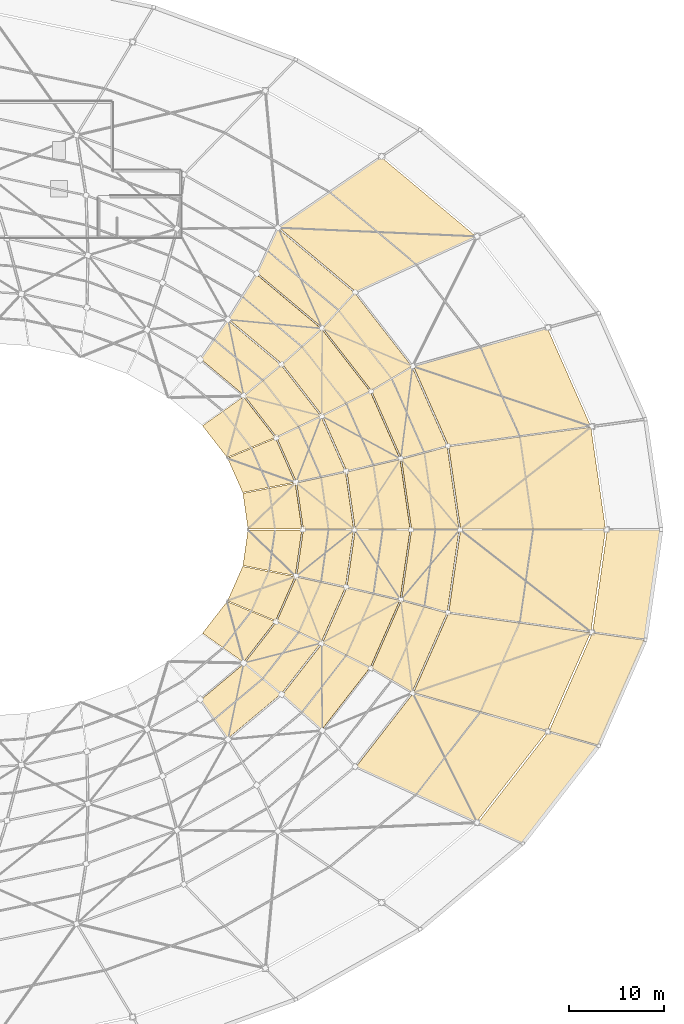
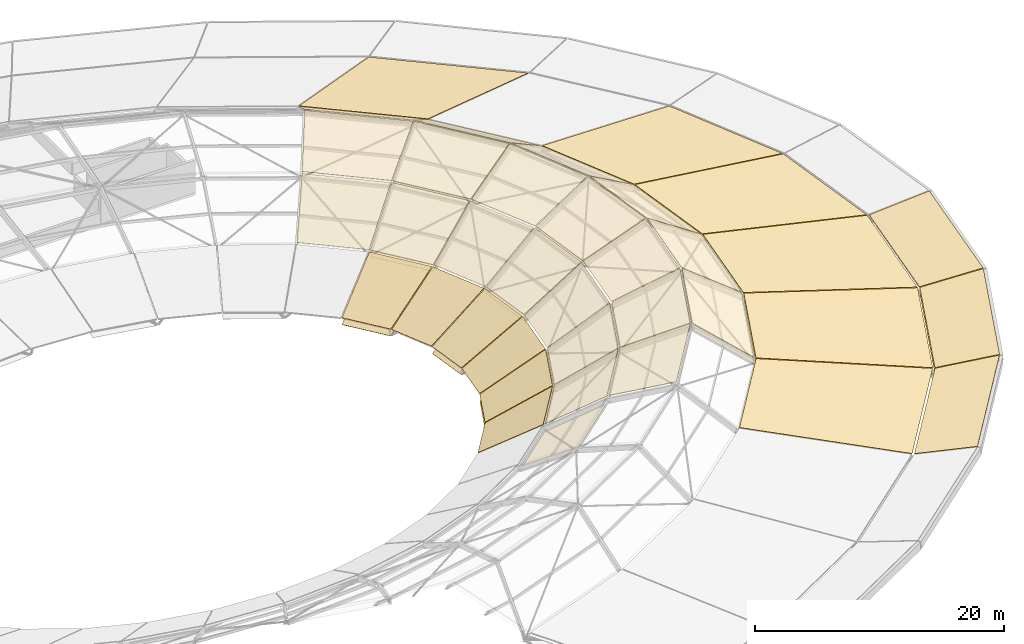
# One storey, part 29 of 30: 51 coverings.
"""IFC4 building model written with IfcOpenShell, lengths in metres."""

from ifc_helpers import new_model, si_unit, direction, frame, origin, place, context, subcontext, project, spatial, polyline, outline, extrude, material, layer, layer_set, type_object, element, save


model = new_model("IFC4")

# Units and contexts
model_context = context("Model", 3, precision=1e-05, world=origin(), true_north=direction((0.0, 1.0)))
body_context = subcontext(model_context, "Body", "Model", "MODEL_VIEW")
ifc_project = project(units=[si_unit("LENGTHUNIT", "METRE"), si_unit("AREAUNIT", "SQUARE_METRE"), si_unit("VOLUMEUNIT", "CUBIC_METRE"), si_unit("PLANEANGLEUNIT", "RADIAN"), si_unit("MASSUNIT", "GRAM", prefix="KILO")], contexts=[model_context])

# Site, building, storey
site_placement = place(None, origin())
site = spatial("IfcSite", under=ifc_project, at=site_placement, CompositionType="ELEMENT")
building_placement = place(site_placement, origin())
building = spatial("IfcBuilding", under=site, at=building_placement, Name="Namkhue Oval Health Centre", CompositionType="ELEMENT")
storey_placement = place(building_placement, frame((0.0, 0.0, 26.39990234375)))
storey = spatial("IfcBuildingStorey", under=building, at=storey_placement, Name="RF", CompositionType="ELEMENT", Elevation=26.39990234375)

# Coverings
ifc_material_1 = material(Name="Slatted FSC timber acoustic soffit lining", Category="wood")
ifc_layer_1 = layer(ifc_material_1, 0.0400390625)
ifc_layer_set_1 = layer_set([ifc_layer_1], Name="Slatted FSC timber acoustic soffit lining")
covering_type_1 = type_object("IfcCoveringType", Name="SLATTED TIMBER SOFFIT CEILING 40", PredefinedType="CEILING", material=ifc_layer_set_1)
covering_1_placement = place(storey_placement, frame((166.153076171875, 36.732177734375, 0.49365234375), z_axis=(-0.066609634685, 0.029390942397, 0.997346143058), x_axis=(0.403689962773, 0.914895848693, -1.0269e-08)))
element("IfcCovering", 1, at=covering_1_placement, inside=storey, type_object=covering_type_1, Name="Gridshell Canopy Slatted Timber Soffit K0-31", PredefinedType="CEILING", context=body_context, shape_type="SweptSolid", body=[
    extrude(outline(polyline([(0.0, 0.0), (12.080332538266319, 8.881784197001252e-16), (10.557918614069292, 5.315006195933241), (-0.736806834305581, 5.315009492955884), (0.0, 0.0)])), origin(), (0.0, 0.0, -1.0), 0.0400390625),
])
covering_2_placement = place(storey_placement, frame((166.9453125, 59.44189453125, 0.1201171875), z_axis=(0.221413405194, 0.031717668843, 0.974664092641), x_axis=(-0.141797236906, 0.989895723601, -1.41144e-06)))
element("IfcCovering", 2, at=covering_2_placement, inside=storey, type_object=covering_type_1, Name="Gridshell Canopy Slatted Timber Soffit K1-1", PredefinedType="CEILING", context=body_context, shape_type="SweptSolid", body=[
    extrude(outline(polyline([(0.0, 0.0), (10.829886655075331, -2.220446049250313e-16), (10.925997497913546, 15.468859173008608), (2.1596681204710646, 15.46873551570559), (0.0, 0.0)])), origin(), (0.0, 0.0, -1.0), 0.0400390625),
])
covering_3_placement = place(storey_placement, frame((160.833740234375, 38.2470703125, 0.12109375), z_axis=(0.21244319399, -0.093735895629, 0.97266719447), x_axis=(0.403676652007, 0.914901721839, 7.96796e-07)))
element("IfcCovering", 3, at=covering_3_placement, inside=storey, type_object=covering_type_1, Name="Gridshell Canopy Slatted Timber Soffit K1-31", PredefinedType="CEILING", context=body_context, shape_type="SweptSolid", body=[
    extrude(outline(polyline([(0.0, 0.0), (11.268499338380739, 0.0), (7.109268119426444, 14.892110218700335), (-2.0132633458221476, 14.89218018955802), (0.0, 0.0)])), origin(), (0.0, 0.0, -1.0), 0.0400390625),
])
covering_4_placement = place(storey_placement, frame((151.550537109375, 59.44189453125, 3.650146484375), z_axis=(0.550264002747, 0.078840664151, 0.831260294346), x_axis=(-0.141828690048, 0.989891217599, -5.51382e-07)))
element("IfcCovering", 4, at=covering_4_placement, inside=storey, type_object=covering_type_1, Name="Gridshell Canopy Slatted Timber Soffit K2-1", PredefinedType="CEILING", context=body_context, shape_type="SweptSolid", body=[
    extrude(outline(polyline([(0.0, 0.0), (8.734288660484037, 0.0), (8.134620470626112, 5.936153769276453), (0.7069948097964079, 5.936137738234251), (0.0, 0.0)])), origin(), (0.0, 0.0, -1.0), 0.0400390625),
])
covering_5_placement = place(storey_placement, frame((146.575927734375, 76.556884765625, 3.650390625), z_axis=(0.44017774573, 0.342231742031, 0.830133113971), x_axis=(-0.61379516674, 0.789465321141, -1.348328e-06)))
element("IfcCovering", 5, at=covering_5_placement, inside=storey, type_object=covering_type_1, Name="Gridshell Canopy Slatted Timber Soffit K2-3", PredefinedType="CEILING", context=body_context, shape_type="SweptSolid", body=[
    extrude(outline(polyline([(0.0, 0.0), (9.714402707593727, 0.0), (8.868532502953732, 5.91782303076807), (0.6060077351450597, 5.917779558203155), (0.0, 0.0)])), origin(), (0.0, 0.0, -1.0), 0.0400390625),
])
covering_6_placement = place(storey_placement, frame((146.618896484375, 42.31494140625, 3.650390625), z_axis=(0.510093396509, -0.225078094197, 0.830147323281), x_axis=(0.403686585458, 0.914897338873, 6.610776e-06)))
element("IfcCovering", 6, at=covering_6_placement, inside=storey, type_object=covering_type_1, Name="Gridshell Canopy Slatted Timber Soffit K2-31", PredefinedType="CEILING", context=body_context, shape_type="SweptSolid", body=[
    extrude(outline(polyline([(0.0, 0.0), (9.090504348652132, 4.440892098500626e-16), (8.33636209725817, 5.917927293663363), (0.6053513274839452, 5.918126745628507), (0.0, 0.0)])), origin(), (0.0, 0.0, -1.0), 0.0400390625),
])
covering_7_placement = place(storey_placement, frame((146.40478515625, 59.44189453125, 6.968505859375), z_axis=(-0.347102420583, -0.04972134762, 0.936508247276), x_axis=(-0.141792423715, 0.98989641305, 2.658993e-06)))
element("IfcCovering", 7, at=covering_7_placement, inside=storey, type_object=covering_type_1, Name="Gridshell Canopy Slatted Timber Soffit K3-1", PredefinedType="CEILING", context=body_context, shape_type="SweptSolid", body=[
    extrude(outline(polyline([(0.0, 0.0), (7.388368685525024, -1.1102230246251565e-16), (6.898255251126288, 6.094419917740232), (0.8175162608143147, 6.09431777965323), (0.0, 0.0)])), origin(), (0.0, 0.0, -1.0), 0.0400390625),
])
covering_8_placement = place(storey_placement, frame((142.184326171875, 73.943359375, 6.9677734375), z_axis=(-0.284555767481, -0.221233065633, 0.93278290393), x_axis=(-0.613800928862, 0.789460841138, -6.166827e-06)))
element("IfcCovering", 8, at=covering_8_placement, inside=storey, type_object=covering_type_1, Name="Gridshell Canopy Slatted Timber Soffit K3-3", PredefinedType="CEILING", context=body_context, shape_type="SweptSolid", body=[
    extrude(outline(polyline([(0.0, 0.0), (8.21832925912734, 0.0), (7.849197281729793, 5.923907507707206), (1.082703076209955, 5.924163886428232), (0.0, 0.0)])), origin(), (0.0, 0.0, -1.0), 0.0400390625),
])
covering_9_placement = place(storey_placement, frame((142.228515625, 44.92822265625, 6.96826171875), z_axis=(-0.324783099907, 0.143299207045, 0.934869656837), x_axis=(0.403671259167, 0.914904101271, 6.10418e-07)))
element("IfcCovering", 9, at=covering_9_placement, inside=storey, type_object=covering_type_1, Name="Gridshell Canopy Slatted Timber Soffit K3-31", PredefinedType="CEILING", context=body_context, shape_type="SweptSolid", body=[
    extrude(outline(polyline([(0.0, 0.0), (7.690035754572932, -8.881784197001252e-16), (6.622141581267067, 6.017711827395505), (0.2922432451618904, 6.017687719704856), (0.0, 0.0)])), origin(), (0.0, 0.0, -1.0), 0.0400390625),
])
covering_10_placement = place(storey_placement, frame((140.47705078125, 59.44189453125, 4.751953125), z_axis=(-0.528457437202, -0.075708120507, 0.845577327957), x_axis=(-0.141804277002, 0.989894715099, 6.55596e-06)))
element("IfcCovering", 10, at=covering_10_placement, inside=storey, type_object=covering_type_1, Name="Gridshell Canopy Slatted Timber Soffit K4-1", PredefinedType="CEILING", context=body_context, shape_type="SweptSolid", body=[
    extrude(outline(polyline([(0.0, 0.0), (6.044969307527069, -1.1102230246251565e-16), (5.657096319622979, 6.1884980989666785), (0.7495745826178772, 6.188363597336773), (0.0, 0.0)])), origin(), (0.0, 0.0, -1.0), 0.0400390625),
])
covering_11_placement = place(storey_placement, frame((137.011474609375, 71.334716796875, 4.750732421875), z_axis=(-0.433759305837, -0.337238725501, 0.835537495641), x_axis=(-0.613799733614, 0.789461770442, -5.104594e-06)))
element("IfcCovering", 11, at=covering_11_placement, inside=storey, type_object=covering_type_1, Name="Gridshell Canopy Slatted Timber Soffit K4-3", PredefinedType="CEILING", context=body_context, shape_type="SweptSolid", body=[
    extrude(outline(polyline([(0.0, 0.0), (6.725574775207637, 4.440892098500626e-16), (6.570204152330779, 6.008436721034068), (1.1077128303562849, 6.008549956098605), (0.0, 0.0)])), origin(), (0.0, 0.0, -1.0), 0.0400390625),
])
covering_12_placement = place(storey_placement, frame((127.263916015625, 37.437744140625, 4.75), z_axis=(-0.356768730439, 0.425883644413, 0.831468095842), x_axis=(0.76656647101, 0.64216496753, -7.33674e-07)))
element("IfcCovering", 12, at=covering_12_placement, inside=storey, type_object=covering_type_1, Name="Gridshell Canopy Slatted Timber Soffit K4-29", PredefinedType="CEILING", context=body_context, shape_type="SweptSolid", body=[
    extrude(outline(polyline([(0.0, 0.0), (7.2535197247940895, 0.0), (6.3463748328235985, 5.9394588755613675), (0.4531265073229309, 5.939476236834211), (0.0, 0.0)])), origin(), (0.0, 0.0, -1.0), 0.0400390625),
])
covering_13_placement = place(storey_placement, frame((137.0556640625, 47.536865234375, 4.75146484375), z_axis=(-0.494468509702, 0.218174421778, 0.841368417874), x_axis=(0.403676561554, 0.914901761743, -3.34581e-06)))
element("IfcCovering", 13, at=covering_13_placement, inside=storey, type_object=covering_type_1, Name="Gridshell Canopy Slatted Timber Soffit K4-31", PredefinedType="CEILING", context=body_context, shape_type="SweptSolid", body=[
    extrude(outline(polyline([(0.0, 0.0), (6.292293576247956, -2.220446049250313e-16), (5.254185255413922, 6.110913862467994), (0.14506203218569685, 6.110984444627364), (0.0, 0.0)])), origin(), (0.0, 0.0, -1.0), 0.0400390625),
])
covering_14_placement = place(storey_placement, frame((135.03466796875, 59.44189453125, 1.3564453125), z_axis=(-0.481428468157, -0.0689848428, 0.873766399853), x_axis=(-0.141852948504, 0.9898877416, -5.490549e-06)))
element("IfcCovering", 14, at=covering_14_placement, inside=storey, type_object=covering_type_1, Name="Gridshell Canopy Slatted Timber Soffit K5-1", PredefinedType="CEILING", context=body_context, shape_type="SweptSolid", body=[
    extrude(outline(polyline([(0.0, 0.0), (4.87572269697473, 1.1102230246251565e-16), (4.595335059077172, 6.399815369236707), (0.8013684996190448, 6.399913244768177), (0.0, 0.0)])), origin(), (0.0, 0.0, -1.0), 0.0400390625),
])
covering_15_placement = place(storey_placement, frame((132.22412109375, 69.06396484375, 1.354248046875), z_axis=(-0.401515771592, -0.312149950345, 0.861015385265), x_axis=(-0.61376918477, 0.789485520973, -1.64495e-07)))
element("IfcCovering", 15, at=covering_15_placement, inside=storey, type_object=covering_type_1, Name="Gridshell Canopy Slatted Timber Soffit K5-3", PredefinedType="CEILING", context=body_context, shape_type="SweptSolid", body=[
    extrude(outline(polyline([(0.0, 0.0), (5.425618932065975, 0.0), (5.6593509153690436, 6.11192767457574), (1.4342051747227105, 6.111930796020602), (0.0, 0.0)])), origin(), (0.0, 0.0, -1.0), 0.0400390625),
])
covering_16_placement = place(storey_placement, frame((132.26953125, 49.8076171875, 1.35546875), z_axis=(-0.453074334425, 0.199921193274, 0.868766461119), x_axis=(0.403679931935, 0.914900274563, -1.2590421e-05)))
element("IfcCovering", 16, at=covering_16_placement, inside=storey, type_object=covering_type_1, Name="Gridshell Canopy Slatted Timber Soffit K5-31", PredefinedType="CEILING", context=body_context, shape_type="SweptSolid", body=[
    extrude(outline(polyline([(0.0, 0.0), (5.075460256585987, 0.0), (3.8372222736474417, 6.281610044990556), (-0.11332085622408511, 6.281839520210125), (0.0, 0.0)])), origin(), (0.0, 0.0, -1.0), 0.0400390625),
])
ifc_material_2 = material(Name="Standing-seam aluminium-zinc insulated roofing", Category="aluminium")
ifc_layer_2 = layer(ifc_material_2, 0.044921875)
ifc_layer_set_2 = layer_set([ifc_layer_2], Name="Standing-seam aluminium-zinc insulated roofing")
covering_type_2 = type_object("IfcCoveringType", Name="STANDING SEAM ROOFING 45", PredefinedType="ROOFING", material=ifc_layer_set_2)
covering_17_placement = place(storey_placement, frame((158.181640625, 26.4716796875, 1.14013671875), z_axis=(-0.06135071917, 0.047698148045, 0.996975915421), x_axis=(0.613788661906, 0.789470378491, 1.01142e-07)))
element("IfcCovering", 17, at=covering_17_placement, inside=storey, type_object=covering_type_2, Name="Elliptical Gridshell Standing Seam Roofing K0-30", PredefinedType="ROOFING", context=body_context, shape_type="SweptSolid", body=[
    extrude(outline(polyline([(0.0, 0.0), (12.904530024973468, 8.881784197001252e-16), (10.906942843347332, 4.966949939526582), (-1.1607419206768135, 4.966917437964638), (0.0, 0.0)])), origin(), (0.0, 0.0, -1.0), 0.044921875),
])
covering_18_placement = place(storey_placement, frame((166.153076171875, 36.732177734375, 1.140625), z_axis=(-0.066609634685, 0.029390942397, 0.997346143058), x_axis=(0.403689962773, 0.914895848693, -1.0269e-08)))
element("IfcCovering", 18, at=covering_18_placement, inside=storey, type_object=covering_type_2, Name="Elliptical Gridshell Standing Seam Roofing K0-31", PredefinedType="ROOFING", context=body_context, shape_type="SweptSolid", body=[
    extrude(outline(polyline([(0.0, 0.0), (12.080332538266319, 8.881784197001252e-16), (10.557918614069292, 5.315006195933241), (-0.736806834305581, 5.315009492955884), (0.0, 0.0)])), origin(), (0.0, 0.0, -1.0), 0.044921875),
])
covering_19_placement = place(storey_placement, frame((171.056884765625, 47.865478515625, 1.140869140625), z_axis=(-0.069282681268, 0.009925887748, 0.997547686494), x_axis=(0.141818789153, 0.989892636119, 2.2834e-08)))
element("IfcCovering", 19, at=covering_19_placement, inside=storey, type_object=covering_type_2, Name="Elliptical Gridshell Standing Seam Roofing K0-32", PredefinedType="ROOFING", context=body_context, shape_type="SweptSolid", body=[
    extrude(outline(polyline([(0.0, 0.0), (11.609775872580732, 0.0), (10.818623683033444, 5.5358037144845245), (-0.03546627999952557, 5.535796385740251), (0.0, 0.0)])), origin(), (0.0, 0.0, -1.0), 0.044921875),
])
covering_20_placement = place(storey_placement, frame((166.9453125, 59.44189453125, 0.772216796875), z_axis=(0.221398563448, 0.031715542749, 0.974667533291), x_axis=(-0.141797236863, 0.989895723607, -1.41135e-06)))
element("IfcCovering", 20, at=covering_20_placement, inside=storey, type_object=covering_type_2, Name="Elliptical Gridshell Standing Seam Roofing K1-1", PredefinedType="ROOFING", context=body_context, shape_type="SweptSolid", body=[
    extrude(outline(polyline([(0.0, 0.0), (10.829886655075333, 0.0), (10.925997497913544, 15.468804567254889), (2.159668120471067, 15.46868090951535), (0.0, 0.0)])), origin(), (0.0, 0.0, -1.0), 0.044921875),
])
covering_21_placement = place(storey_placement, frame((165.382568359375, 70.243408203125, 0.77294921875), z_axis=(0.212457384009, 0.093742156663, 0.972663491679), x_axis=(-0.403676652031, 0.914901721829, -7.96846e-07)))
element("IfcCovering", 21, at=covering_21_placement, inside=storey, type_object=covering_type_2, Name="Elliptical Gridshell Standing Seam Roofing K1-2", PredefinedType="ROOFING", context=body_context, shape_type="SweptSolid", body=[
    extrude(outline(polyline([(0.0, 0.0), (11.268499338380739, -8.881784197001252e-16), (13.281762684202889, 14.892236881618764), (4.159231218954293, 14.892166911027449), (0.0, 0.0)])), origin(), (0.0, 0.0, -1.0), 0.044921875),
])
covering_22_placement = place(storey_placement, frame((153.3271484375, 90.1904296875, 0.77587890625), z_axis=(0.170139960284, 0.203102081607, 0.964262380455), x_axis=(-0.766575858365, 0.642153761467, 2.510138e-06)))
element("IfcCovering", 22, at=covering_22_placement, inside=storey, type_object=covering_type_2, Name="Elliptical Gridshell Standing Seam Roofing K1-4", PredefinedType="ROOFING", context=body_context, shape_type="SweptSolid", body=[
    extrude(outline(polyline([(0.0, 0.0), (12.975905292045697, -8.881784197001252e-16), (16.469634417981176, 13.030239962344657), (5.959540652896145, 13.030462469543908), (0.0, 0.0)])), origin(), (0.0, 0.0, -1.0), 0.044921875),
])
covering_23_placement = place(storey_placement, frame((153.394775390625, 28.670654296875, 0.7744140625), z_axis=(0.195050350647, -0.151644608073, 0.968999109161), x_axis=(0.613791430019, 0.78946822636, -1.686149e-06)))
element("IfcCovering", 23, at=covering_23_placement, inside=storey, type_object=covering_type_2, Name="Elliptical Gridshell Standing Seam Roofing K1-30", PredefinedType="ROOFING", context=body_context, shape_type="SweptSolid", body=[
    extrude(outline(polyline([(0.0, 0.0), (12.037750004246542, 0.0), (6.571197459913331, 13.985567851528476), (-3.176458972495565, 13.985419171817103), (0.0, 0.0)])), origin(), (0.0, 0.0, -1.0), 0.044921875),
])
covering_24_placement = place(storey_placement, frame((160.833740234375, 38.2470703125, 0.77294921875), z_axis=(0.212457384009, -0.093742156663, 0.972663491679), x_axis=(0.403676652031, 0.914901721829, 7.96846e-07)))
element("IfcCovering", 24, at=covering_24_placement, inside=storey, type_object=covering_type_2, Name="Elliptical Gridshell Standing Seam Roofing K1-31", PredefinedType="ROOFING", context=body_context, shape_type="SweptSolid", body=[
    extrude(outline(polyline([(0.0, 0.0), (11.268499338380739, 8.881784197001252e-16), (7.109268119426446, 14.892166911027449), (-2.013263345822149, 14.892236881618764), (0.0, 0.0)])), origin(), (0.0, 0.0, -1.0), 0.044921875),
])
covering_25_placement = place(storey_placement, frame((165.40966796875, 48.6376953125, 0.772216796875), z_axis=(0.221398506983, -0.031716333008, 0.974667520402), x_axis=(0.141800417871, 0.98989526794, 1.484768e-06)))
element("IfcCovering", 25, at=covering_25_placement, inside=storey, type_object=covering_type_2, Name="Elliptical Gridshell Standing Seam Roofing K1-32", PredefinedType="ROOFING", context=body_context, shape_type="SweptSolid", body=[
    extrude(outline(polyline([(0.0, 0.0), (10.829644981357593, 0.0), (8.669928665862736, 15.468674180664049), (-0.09615903828272222, 15.46880426773081), (0.0, 0.0)])), origin(), (0.0, 0.0, -1.0), 0.044921875),
])
covering_26_placement = place(storey_placement, frame((151.550537109375, 59.44189453125, 4.30712890625), z_axis=(0.550292133548, 0.078844694672, 0.831241289805), x_axis=(-0.141828690086, 0.989891217593, -5.51398e-07)))
element("IfcCovering", 26, at=covering_26_placement, inside=storey, type_object=covering_type_2, Name="Elliptical Gridshell Standing Seam Roofing K2-1", PredefinedType="ROOFING", context=body_context, shape_type="SweptSolid", body=[
    extrude(outline(polyline([(0.0, 0.0), (8.734288660484037, -2.220446049250313e-16), (8.134620470626112, 5.936289486274842), (0.7069948097964075, 5.936273455599149), (0.0, 0.0)])), origin(), (0.0, 0.0, -1.0), 0.044921875),
])
covering_27_placement = place(storey_placement, frame((150.28857421875, 68.168212890625, 4.307373046875), z_axis=(0.510093396509, 0.225078094197, 0.830147323281), x_axis=(-0.403686585458, 0.914897338873, -6.610776e-06)))
element("IfcCovering", 27, at=covering_27_placement, inside=storey, type_object=covering_type_2, Name="Elliptical Gridshell Standing Seam Roofing K2-2", PredefinedType="ROOFING", context=body_context, shape_type="SweptSolid", body=[
    extrude(outline(polyline([(0.0, 0.0), (9.090504348652132, -4.440892098500626e-16), (8.485153021168188, 5.918126745628507), (0.7541422513939607, 5.917927293663363), (0.0, 0.0)])), origin(), (0.0, 0.0, -1.0), 0.044921875),
])
covering_28_placement = place(storey_placement, frame((146.575927734375, 76.556884765625, 4.307373046875), z_axis=(0.44017774573, 0.342231742031, 0.830133113971), x_axis=(-0.61379516674, 0.789465321141, -1.348328e-06)))
element("IfcCovering", 28, at=covering_28_placement, inside=storey, type_object=covering_type_2, Name="Elliptical Gridshell Standing Seam Roofing K2-3", PredefinedType="ROOFING", context=body_context, shape_type="SweptSolid", body=[
    extrude(outline(polyline([(0.0, 0.0), (9.714402707593727, 0.0), (8.868532502953732, 5.91782303076807), (0.6060077351450597, 5.917779558203155), (0.0, 0.0)])), origin(), (0.0, 0.0, -1.0), 0.044921875),
])
covering_29_placement = place(storey_placement, frame((140.5556640625, 84.287109375, 4.306884765625), z_axis=(0.35465832284, 0.423364025589, 0.833654830177), x_axis=(-0.766565026279, 0.642166692131, -1.93043e-06)))
element("IfcCovering", 29, at=covering_29_placement, inside=storey, type_object=covering_type_2, Name="Elliptical Gridshell Standing Seam Roofing K2-4", PredefinedType="ROOFING", context=body_context, shape_type="SweptSolid", body=[
    extrude(outline(polyline([(0.0, 0.0), (10.474395781044445, -8.881784197001252e-16), (9.119410119256438, 5.976171412843331), (0.21012684080899258, 5.976103660171913), (0.0, 0.0)])), origin(), (0.0, 0.0, -1.0), 0.044921875),
])
covering_30_placement = place(storey_placement, frame((146.618896484375, 42.31494140625, 4.307373046875), z_axis=(0.510093396509, -0.225078094197, 0.830147323281), x_axis=(0.403686585458, 0.914897338873, 6.610776e-06)))
element("IfcCovering", 30, at=covering_30_placement, inside=storey, type_object=covering_type_2, Name="Elliptical Gridshell Standing Seam Roofing K2-31", PredefinedType="ROOFING", context=body_context, shape_type="SweptSolid", body=[
    extrude(outline(polyline([(0.0, 0.0), (9.090504348652132, 4.440892098500626e-16), (8.33636209725817, 5.917927293663363), (0.6053513274839452, 5.918126745628507), (0.0, 0.0)])), origin(), (0.0, 0.0, -1.0), 0.044921875),
])
covering_31_placement = place(storey_placement, frame((150.311767578125, 50.712158203125, 4.30712890625), z_axis=(0.550292133548, -0.078844694672, 0.831241289805), x_axis=(0.141828690086, 0.989891217593, 5.51398e-07)))
element("IfcCovering", 31, at=covering_31_placement, inside=storey, type_object=covering_type_2, Name="Elliptical Gridshell Standing Seam Roofing K2-32", PredefinedType="ROOFING", context=body_context, shape_type="SweptSolid", body=[
    extrude(outline(polyline([(0.0, 0.0), (8.734288660484037, 2.220446049250313e-16), (8.027293850687629, 5.936273455599149), (0.5996681898579252, 5.936289486274843), (0.0, 0.0)])), origin(), (0.0, 0.0, -1.0), 0.044921875),
])
covering_32_placement = place(storey_placement, frame((146.40478515625, 59.44189453125, 7.630615234375), z_axis=(-0.347102420583, -0.04972134762, 0.936508247276), x_axis=(-0.141792423715, 0.98989641305, 2.658993e-06)))
element("IfcCovering", 32, at=covering_32_placement, inside=storey, type_object=covering_type_2, Name="Elliptical Gridshell Standing Seam Roofing K3-1", PredefinedType="ROOFING", context=body_context, shape_type="SweptSolid", body=[
    extrude(outline(polyline([(0.0, 0.0), (7.388368685525024, -1.1102230246251565e-16), (6.898255251126288, 6.094419917740232), (0.8175162608143147, 6.09431777965323), (0.0, 0.0)])), origin(), (0.0, 0.0, -1.0), 0.044921875),
])
covering_33_placement = place(storey_placement, frame((145.332763671875, 66.836181640625, 7.630126953125), z_axis=(-0.324752275178, -0.143288333985, 0.934882031655), x_axis=(-0.403682317556, 0.914899222038, -2.530571e-06)))
element("IfcCovering", 33, at=covering_33_placement, inside=storey, type_object=covering_type_2, Name="Elliptical Gridshell Standing Seam Roofing K3-2", PredefinedType="ROOFING", context=body_context, shape_type="SweptSolid", body=[
    extrude(outline(polyline([(0.0, 0.0), (7.689812389941668, 0.0), (7.3978646084436965, 6.017512419400727), (1.0679662731139468, 6.017612368735667), (0.0, 0.0)])), origin(), (0.0, 0.0, -1.0), 0.044921875),
])
covering_34_placement = place(storey_placement, frame((142.184326171875, 73.943359375, 7.629638671875), z_axis=(-0.284527458206, -0.221211056071, 0.93279675932), x_axis=(-0.613800929236, 0.789460840847, -6.166305e-06)))
element("IfcCovering", 34, at=covering_34_placement, inside=storey, type_object=covering_type_2, Name="Elliptical Gridshell Standing Seam Roofing K3-3", PredefinedType="ROOFING", context=body_context, shape_type="SweptSolid", body=[
    extrude(outline(polyline([(0.0, 0.0), (8.218329259127376, 4.440892098500626e-16), (7.84919728172976, 5.923819512360972), (1.0827030762100214, 5.924075894890201), (0.0, 0.0)])), origin(), (0.0, 0.0, -1.0), 0.044921875),
])
covering_35_placement = place(storey_placement, frame((137.0810546875, 80.491455078125, 7.62939453125), z_axis=(-0.233146472891, -0.278315653813, 0.931763445849), x_axis=(-0.766570353224, 0.642160333218, 1.06159e-07)))
element("IfcCovering", 35, at=covering_35_placement, inside=storey, type_object=covering_type_2, Name="Elliptical Gridshell Standing Seam Roofing K3-4", PredefinedType="ROOFING", context=body_context, shape_type="SweptSolid", body=[
    extrude(outline(polyline([(0.0, 0.0), (8.862144535183381, -8.881784197001252e-16), (8.10297843474153, 5.87915878489308), (0.8049146162426929, 5.879154059713813), (0.0, 0.0)])), origin(), (0.0, 0.0, -1.0), 0.044921875),
])
covering_36_placement = place(storey_placement, frame((137.139892578125, 38.36865234375, 7.629638671875), z_axis=(-0.284527458206, 0.221211056071, 0.93279675932), x_axis=(0.613800929236, 0.789460840847, 6.166305e-06)))
element("IfcCovering", 36, at=covering_36_placement, inside=storey, type_object=covering_type_2, Name="Elliptical Gridshell Standing Seam Roofing K3-30", PredefinedType="ROOFING", context=body_context, shape_type="SweptSolid", body=[
    extrude(outline(polyline([(0.0, 0.0), (8.218329259127376, -4.440892098500626e-16), (7.135626182917355, 5.924075894890201), (0.36913197739761816, 5.923819512360972), (0.0, 0.0)])), origin(), (0.0, 0.0, -1.0), 0.044921875),
])
covering_37_placement = place(storey_placement, frame((142.228515625, 44.92822265625, 7.630126953125), z_axis=(-0.324750658709, 0.143284893499, 0.934883120482), x_axis=(0.403671259209, 0.914904101252, 6.10366e-07)))
element("IfcCovering", 37, at=covering_37_placement, inside=storey, type_object=covering_type_2, Name="Elliptical Gridshell Standing Seam Roofing K3-31", PredefinedType="ROOFING", context=body_context, shape_type="SweptSolid", body=[
    extrude(outline(polyline([(0.0, 0.0), (7.690035754572931, -4.440892098500626e-16), (6.6221415812670665, 6.017625164123869), (0.2922432451618912, 6.017601056086029), (0.0, 0.0)])), origin(), (0.0, 0.0, -1.0), 0.044921875),
])
covering_38_placement = place(storey_placement, frame((145.357177734375, 52.044189453125, 7.630615234375), z_axis=(-0.34710263127, 0.049719556971, 0.936508264256), x_axis=(0.141787730466, 0.989897085299, -2.509536e-06)))
element("IfcCovering", 38, at=covering_38_placement, inside=storey, type_object=covering_type_2, Name="Elliptical Gridshell Standing Seam Roofing K3-32", PredefinedType="ROOFING", context=body_context, shape_type="SweptSolid", body=[
    extrude(outline(polyline([(0.0, 0.0), (7.388610359572803, 2.220446049250313e-16), (6.5711208388904225, 6.0943213666261355), (0.4901401750397334, 6.0944177672019695), (0.0, 0.0)])), origin(), (0.0, 0.0, -1.0), 0.044921875),
])
covering_39_placement = place(storey_placement, frame((140.47705078125, 59.44189453125, 5.4189453125), z_axis=(-0.528457437202, -0.075708120507, 0.845577327957), x_axis=(-0.141804277002, 0.989894715099, 6.55596e-06)))
element("IfcCovering", 39, at=covering_39_placement, inside=storey, type_object=covering_type_2, Name="Elliptical Gridshell Standing Seam Roofing K4-1", PredefinedType="ROOFING", context=body_context, shape_type="SweptSolid", body=[
    extrude(outline(polyline([(0.0, 0.0), (6.044969307527069, -1.1102230246251565e-16), (5.657096319622979, 6.1884980989666785), (0.7495745826178772, 6.188363597336773), (0.0, 0.0)])), origin(), (0.0, 0.0, -1.0), 0.044921875),
])
covering_40_placement = place(storey_placement, frame((139.595703125, 65.50634765625, 5.41845703125), z_axis=(-0.494470241398, -0.218180292354, 0.841365877844), x_axis=(-0.403689015996, 0.91489626645, 1.54152e-07)))
element("IfcCovering", 40, at=covering_40_placement, inside=storey, type_object=covering_type_2, Name="Elliptical Gridshell Standing Seam Roofing K4-2", PredefinedType="ROOFING", context=body_context, shape_type="SweptSolid", body=[
    extrude(outline(polyline([(0.0, 0.0), (6.292070212169687, 0.0), (6.147312076729383, 6.1109034332158085), (1.0381888529535068, 6.110900181357589), (0.0, 0.0)])), origin(), (0.0, 0.0, -1.0), 0.044921875),
])
covering_41_placement = place(storey_placement, frame((137.011474609375, 71.334716796875, 5.417724609375), z_axis=(-0.433759305837, -0.337238725501, 0.835537495641), x_axis=(-0.613799733614, 0.789461770442, -5.104594e-06)))
element("IfcCovering", 41, at=covering_41_placement, inside=storey, type_object=covering_type_2, Name="Elliptical Gridshell Standing Seam Roofing K4-3", PredefinedType="ROOFING", context=body_context, shape_type="SweptSolid", body=[
    extrude(outline(polyline([(0.0, 0.0), (6.725574775207637, 4.440892098500626e-16), (6.570204152330779, 6.008436721034068), (1.1077128303562849, 6.008549956098605), (0.0, 0.0)])), origin(), (0.0, 0.0, -1.0), 0.044921875),
])
covering_42_placement = place(storey_placement, frame((132.82421875, 76.7041015625, 5.4169921875), z_axis=(-0.356779305196, -0.425883951858, 0.831463400838), x_axis=(-0.766552194961, 0.642182008751, 6.076256e-06)))
element("IfcCovering", 42, at=covering_42_placement, inside=storey, type_object=covering_type_2, Name="Elliptical Gridshell Standing Seam Roofing K4-4", PredefinedType="ROOFING", context=body_context, shape_type="SweptSolid", body=[
    extrude(outline(polyline([(0.0, 0.0), (7.253676505665792, 8.881784197001252e-16), (6.8004225824014535, 5.939466514581377), (0.9071742588641987, 5.939322729446834), (0.0, 0.0)])), origin(), (0.0, 0.0, -1.0), 0.044921875),
])
covering_43_placement = place(storey_placement, frame((132.88330078125, 42.15576171875, 5.417724609375), z_axis=(-0.433759305837, 0.337238725501, 0.835537495641), x_axis=(0.613799733614, 0.789461770442, 5.104594e-06)))
element("IfcCovering", 43, at=covering_43_placement, inside=storey, type_object=covering_type_2, Name="Elliptical Gridshell Standing Seam Roofing K4-30", PredefinedType="ROOFING", context=body_context, shape_type="SweptSolid", body=[
    extrude(outline(polyline([(0.0, 0.0), (6.725574775207637, -4.440892098500626e-16), (5.617861944851352, 6.008549956098604), (0.15537062287685818, 6.008436721034067), (0.0, 0.0)])), origin(), (0.0, 0.0, -1.0), 0.044921875),
])
covering_44_placement = place(storey_placement, frame((137.0556640625, 47.536865234375, 5.41845703125), z_axis=(-0.494468509702, 0.218174421778, 0.841368417874), x_axis=(0.403676561554, 0.914901761743, -3.34581e-06)))
element("IfcCovering", 44, at=covering_44_placement, inside=storey, type_object=covering_type_2, Name="Elliptical Gridshell Standing Seam Roofing K4-31", PredefinedType="ROOFING", context=body_context, shape_type="SweptSolid", body=[
    extrude(outline(polyline([(0.0, 0.0), (6.292293576247956, -2.220446049250313e-16), (5.254185255413922, 6.110913862467994), (0.14506203218569685, 6.110984444627364), (0.0, 0.0)])), origin(), (0.0, 0.0, -1.0), 0.044921875),
])
covering_45_placement = place(storey_placement, frame((139.619873046875, 53.3740234375, 5.4189453125), z_axis=(-0.528456385243, 0.075706265012, 0.845578151523), x_axis=(0.141799331941, 0.989895423467, -7.714101e-06)))
element("IfcCovering", 45, at=covering_45_placement, inside=storey, type_object=covering_type_2, Name="Elliptical Gridshell Standing Seam Roofing K4-32", PredefinedType="ROOFING", context=body_context, shape_type="SweptSolid", body=[
    extrude(outline(polyline([(0.0, 0.0), (6.04521098121405, -1.1102230246251565e-16), (5.295666365010661, 6.1883672269206285), (0.3881446288004879, 6.188525492780679), (0.0, 0.0)])), origin(), (0.0, 0.0, -1.0), 0.044921875),
])
covering_46_placement = place(storey_placement, frame((135.03466796875, 59.44189453125, 2.0283203125), z_axis=(-0.481428468157, -0.0689848428, 0.873766399853), x_axis=(-0.141852948504, 0.9898877416, -5.490549e-06)))
element("IfcCovering", 46, at=covering_46_placement, inside=storey, type_object=covering_type_2, Name="Elliptical Gridshell Standing Seam Roofing K5-1", PredefinedType="ROOFING", context=body_context, shape_type="SweptSolid", body=[
    extrude(outline(polyline([(0.0, 0.0), (4.87572269697473, 1.1102230246251565e-16), (4.595335059077172, 6.399815369236707), (0.8013684996190448, 6.399913244768177), (0.0, 0.0)])), origin(), (0.0, 0.0, -1.0), 0.044921875),
])
covering_47_placement = place(storey_placement, frame((134.318359375, 64.348876953125, 2.027587890625), z_axis=(-0.453072967104, -0.199914679498, 0.868768673124), x_axis=(-0.403677481887, 0.914901355642, 7.892566e-06)))
element("IfcCovering", 47, at=covering_47_placement, inside=storey, type_object=covering_type_2, Name="Elliptical Gridshell Standing Seam Roofing K5-2", PredefinedType="ROOFING", context=body_context, shape_type="SweptSolid", body=[
    extrude(outline(polyline([(0.0, 0.0), (5.075460256909531, 2.220446049250313e-16), (5.188781112479304, 6.281839520483339), (1.2380146184745169, 6.281695664497476), (0.0, 0.0)])), origin(), (0.0, 0.0, -1.0), 0.044921875),
])
covering_48_placement = place(storey_placement, frame((132.22412109375, 69.06396484375, 2.0263671875), z_axis=(-0.401515771592, -0.312149950345, 0.861015385265), x_axis=(-0.61376918477, 0.789485520973, -1.64495e-07)))
element("IfcCovering", 48, at=covering_48_placement, inside=storey, type_object=covering_type_2, Name="Elliptical Gridshell Standing Seam Roofing K5-3", PredefinedType="ROOFING", context=body_context, shape_type="SweptSolid", body=[
    extrude(outline(polyline([(0.0, 0.0), (5.425618932065975, 0.0), (5.6593509153690436, 6.11192767457574), (1.4342051747227105, 6.111930796020602), (0.0, 0.0)])), origin(), (0.0, 0.0, -1.0), 0.044921875),
])
covering_49_placement = place(storey_placement, frame((128.89404296875, 45.45263671875, 2.0263671875), z_axis=(-0.401515771592, 0.312149950345, 0.861015385265), x_axis=(0.61376918477, 0.789485520973, 1.64495e-07)))
element("IfcCovering", 49, at=covering_49_placement, inside=storey, type_object=covering_type_2, Name="Elliptical Gridshell Standing Seam Roofing K5-30", PredefinedType="ROOFING", context=body_context, shape_type="SweptSolid", body=[
    extrude(outline(polyline([(0.0, 0.0), (5.425618932065975, 0.0), (3.991413757343265, 6.111930796020602), (-0.23373198330306943, 6.11192767457574), (0.0, 0.0)])), origin(), (0.0, 0.0, -1.0), 0.044921875),
])
covering_50_placement = place(storey_placement, frame((132.26953125, 49.8076171875, 2.027587890625), z_axis=(-0.453074334425, 0.199921193274, 0.868766461119), x_axis=(0.403679931935, 0.914900274563, -1.2590421e-05)))
element("IfcCovering", 50, at=covering_50_placement, inside=storey, type_object=covering_type_2, Name="Elliptical Gridshell Standing Seam Roofing K5-31", PredefinedType="ROOFING", context=body_context, shape_type="SweptSolid", body=[
    extrude(outline(polyline([(0.0, 0.0), (5.075460256585987, 0.0), (3.8372222736474417, 6.281610044990556), (-0.11332085622408511, 6.281839520210125), (0.0, 0.0)])), origin(), (0.0, 0.0, -1.0), 0.044921875),
])
covering_51_placement = place(storey_placement, frame((134.343017578125, 54.53173828125, 2.0283203125), z_axis=(-0.481429813384, 0.068983073138, 0.873765798372), x_axis=(0.141852013274, 0.989887875609, 7.187918e-06)))
element("IfcCovering", 51, at=covering_51_placement, inside=storey, type_object=covering_type_2, Name="Elliptical Gridshell Standing Seam Roofing K5-32", PredefinedType="ROOFING", context=body_context, shape_type="SweptSolid", body=[
    extrude(outline(polyline([(0.0, 0.0), (4.875722696906013, 0.0), (4.074354197413107, 6.399913244731621), (0.28014596605798997, 6.399785108306072), (0.0, 0.0)])), origin(), (0.0, 0.0, -1.0), 0.044921875),
])

save(model, "model.ifc")
